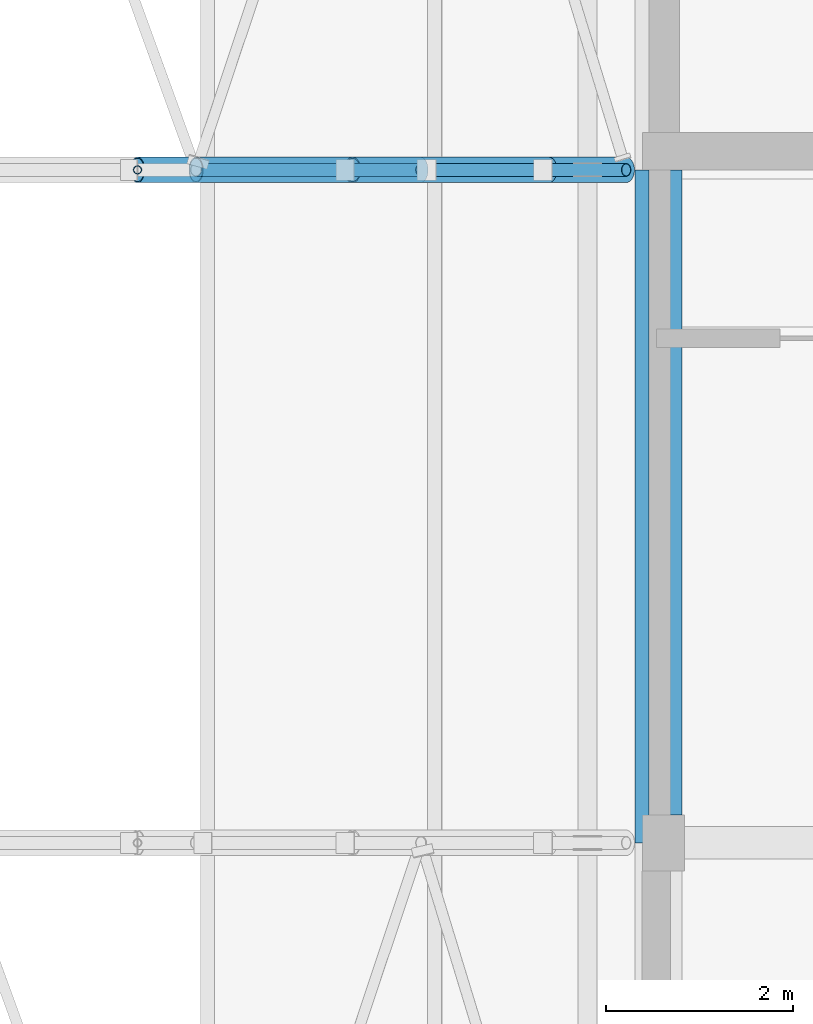
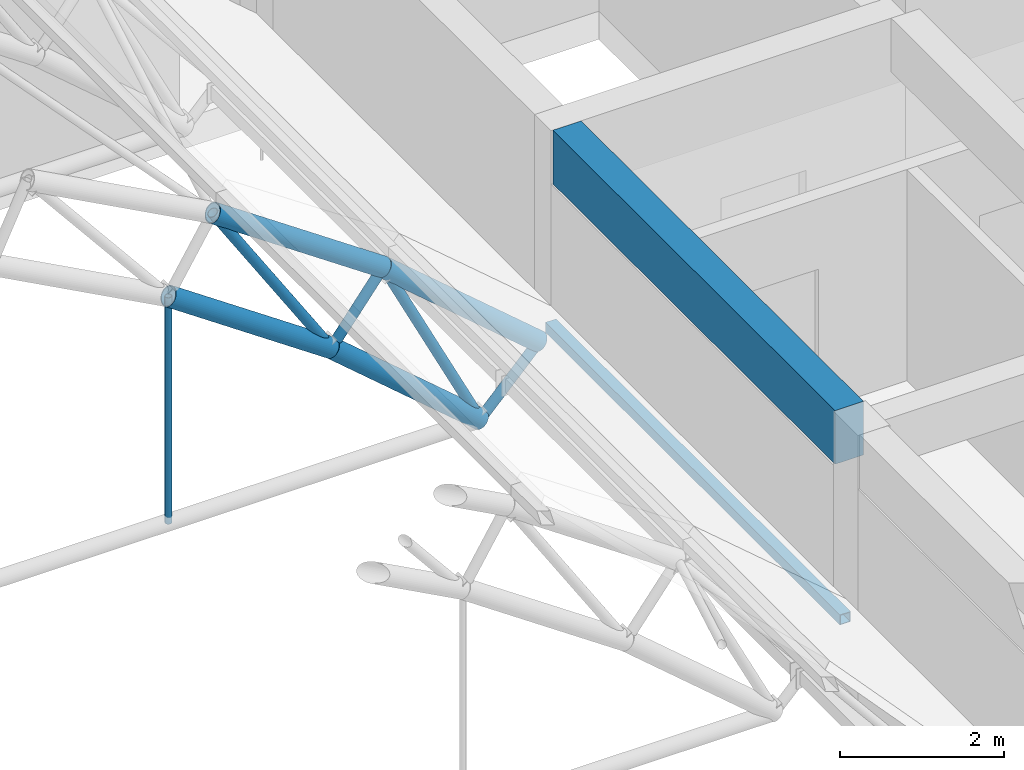
# One storey, part 21 of 101: 10 members, 1 beam.
"""IFC4 building model written with IfcOpenShell, lengths in metres."""

from ifc_helpers import new_model, si_unit, direction, frame, origin, origin_2d, place, context, subcontext, project, spatial, rectangle, hollow_rectangle, hollow_circle, extrude, material, material_profile, profile_set, type_object, element, save


model = new_model("IFC4")

# Units and contexts
model_context = context("Model", 3, precision=1e-05, world=origin(), true_north=direction((0.0, 1.0)))
body_context = subcontext(model_context, "Body", "Model", "MODEL_VIEW")
ifc_project = project(units=[si_unit("LENGTHUNIT", "METRE"), si_unit("AREAUNIT", "SQUARE_METRE"), si_unit("VOLUMEUNIT", "CUBIC_METRE"), si_unit("PLANEANGLEUNIT", "RADIAN"), si_unit("MASSUNIT", "GRAM", prefix="KILO")], contexts=[model_context])

# Site, building, storey
site_placement = place(None, origin())
site = spatial("IfcSite", under=ifc_project, at=site_placement, CompositionType="ELEMENT")
building_placement = place(site_placement, origin())
building = spatial("IfcBuilding", under=site, at=building_placement, Name="Laocheng Heights Fire and Rescue Headquarters", CompositionType="ELEMENT")
storey_placement = place(building_placement, frame((0.0, 0.0, 8.39990234375)))
storey = spatial("IfcBuildingStorey", under=building, at=storey_placement, Name="L02", CompositionType="ELEMENT", Elevation=8.39990234375)

# Members
ifc_material_1 = material(Name="Steel Q355B", Category="steel")
ifc_material_profile_1 = material_profile(ifc_material_1, hollow_circle(Radius=0.136474609375, WallThickness=0.011962890625, at=origin_2d()), Name="CHS 273x12")
ifc_profile_set_1 = profile_set([ifc_material_profile_1], Name="Steel Q355B")
member_type_1 = type_object("IfcMemberType", Name="BAY ROOF CHORD CHS 273x12", PredefinedType="CHORD", material=ifc_profile_set_1)
member_1_placement = place(storey_placement, frame((50.22509765625, 14.39990234375, 4.401123046875), z_axis=(0.824366402467, 0.0, -0.566056564738), x_axis=(0.0, 1.0, 0.0)))
element("IfcMember", 1, at=member_1_placement, inside=storey, type_object=member_type_1, Name="Truss TR3 upper chord 15", PredefinedType="CHORD", context=body_context, shape_type="SweptSolid", body=[
    extrude(hollow_circle(Radius=0.136474609375, WallThickness=0.011962890625, at=origin_2d()), origin(), (0.0, 0.0, 1.0), 2.918701171875),
])
member_2_placement = place(storey_placement, frame((52.631103515625, 14.39990234375, 2.7490234375), z_axis=(0.759780870103, 0.0, -0.650179228694), x_axis=(0.0, 1.0, 0.0)))
element("IfcMember", 2, at=member_2_placement, inside=storey, type_object=member_type_1, Name="Truss TR3 upper chord 16", PredefinedType="CHORD", context=body_context, shape_type="SweptSolid", body=[
    extrude(hollow_circle(Radius=0.136474609375, WallThickness=0.011962890625, at=origin_2d()), origin(), (0.0, 0.0, 1.0), 2.891357421875),
])
member_3_placement = place(storey_placement, frame((49.60009765625, 14.39990234375, 3.377197265625), z_axis=(0.824378833686, 0.0, -0.566038460327), x_axis=(0.0, 1.0, 0.0)))
element("IfcMember", 3, at=member_3_placement, inside=storey, type_object=member_type_1, Name="Truss TR3 lower chord 15", PredefinedType="CHORD", context=body_context, shape_type="SweptSolid", body=[
    extrude(hollow_circle(Radius=0.136474609375, WallThickness=0.011962890625, at=origin_2d()), origin(), (0.0, 0.0, 1.0), 2.789794921875),
])
member_4_placement = place(storey_placement, frame((51.89990234375, 14.39990234375, 1.798095703125), z_axis=(0.759611792673, 0.0, -0.650376755759), x_axis=(0.0, 1.0, 0.0)))
element("IfcMember", 4, at=member_4_placement, inside=storey, type_object=member_type_1, Name="Truss TR3 lower chord 16", PredefinedType="CHORD", context=body_context, shape_type="SweptSolid", body=[
    extrude(hollow_circle(Radius=0.136474609375, WallThickness=0.011962890625, at=origin_2d()), origin(), (0.0, 0.0, 1.0), 2.7646484375),
])
ifc_material_2 = material(Name="Steel Q355B", Category="steel")
ifc_material_profile_2 = material_profile(ifc_material_2, hollow_circle(Radius=0.06982421875, WallThickness=0.006103515625, at=origin_2d()), Name="CHS 139.7x6")
ifc_profile_set_2 = profile_set([ifc_material_profile_2], Name="Steel Q355B")
member_type_2 = type_object("IfcMemberType", Name="BAY ROOF DIAG CHS 139.7x6", PredefinedType="BRACE", material=ifc_profile_set_2)
member_5_placement = place(storey_placement, frame((51.89990234375, 14.39990234375, 1.798095703125), z_axis=(-0.541084441546, 0.0, 0.840968267604), x_axis=(0.0, -1.0, 0.0)))
element("IfcMember", 5, at=member_5_placement, inside=storey, type_object=member_type_2, Name="Truss diagonal TR3-15", PredefinedType="BRACE", context=body_context, shape_type="SweptSolid", body=[
    extrude(hollow_circle(Radius=0.06982421875, WallThickness=0.006103515625, at=origin_2d()), origin(), (0.0, 0.0, 1.0), 3.09521484375),
])
member_6_placement = place(storey_placement, frame((54.0, 14.39990234375, 0.0), z_axis=(-0.445750218044, 0.0, 0.89515738455), x_axis=(0.0, -1.0, 0.0)))
element("IfcMember", 6, at=member_6_placement, inside=storey, type_object=member_type_2, Name="Truss diagonal TR3-16", PredefinedType="BRACE", context=body_context, shape_type="SweptSolid", body=[
    extrude(hollow_circle(Radius=0.06982421875, WallThickness=0.006103515625, at=origin_2d()), origin(), (0.0, 0.0, 1.0), 3.071044921875),
])
ifc_material_3 = material(Name="Steel Q355B", Category="steel")
ifc_material_profile_3 = material_profile(ifc_material_3, hollow_circle(Radius=0.04443359375, WallThickness=0.0048828125, at=origin_2d()), Name="CHS 88.9x5")
ifc_profile_set_3 = profile_set([ifc_material_profile_3], Name="Steel Q355B")
member_type_3 = type_object("IfcMemberType", Name="BAY ROOF HANGER CHS 88.9x5", PredefinedType="POST", material=ifc_profile_set_3)
member_7_placement = place(storey_placement, frame((49.60009765625, 14.39990234375, 0.0), z_axis=(0.0, 0.0, 1.0), x_axis=(1.0, 0.0, 0.0)))
element("IfcMember", 7, at=member_7_placement, inside=storey, type_object=member_type_3, Name="Truss TR3 hanger 14", PredefinedType="POST", context=body_context, shape_type="SweptSolid", body=[
    extrude(hollow_circle(Radius=0.04443359375, WallThickness=0.0048828125, at=origin_2d()), origin(), (0.0, 0.0, 1.0), 3.377197265625),
])
ifc_material_4 = material(Name="Steel Q355B", Category="steel")
ifc_material_profile_4 = material_profile(ifc_material_4, hollow_circle(Radius=0.06982421875, WallThickness=0.006103515625, at=origin_2d()), Name="CHS 139.7x6")
ifc_profile_set_4 = profile_set([ifc_material_profile_4], Name="Steel Q355B")
member_type_4 = type_object("IfcMemberType", Name="BAY ROOF POST CHS 139.7x6", PredefinedType="POST", material=ifc_profile_set_4)
member_8_placement = place(storey_placement, frame((51.89990234375, 14.39990234375, 1.798095703125), z_axis=(0.609563212164, 0.0, 0.792737466237), x_axis=(0.0, 1.0, 0.0)))
element("IfcMember", 8, at=member_8_placement, inside=storey, type_object=member_type_4, Name="Truss TR3 radial post 15", PredefinedType="POST", context=body_context, shape_type="SweptSolid", body=[
    extrude(hollow_circle(Radius=0.06982421875, WallThickness=0.006103515625, at=origin_2d()), origin(), (0.0, 0.0, 1.0), 1.199462890625),
])
member_9_placement = place(storey_placement, frame((54.0, 14.39990234375, 0.0), z_axis=(0.689711037364, 0.0, 0.72408472221), x_axis=(0.0, 1.0, 0.0)))
element("IfcMember", 9, at=member_9_placement, inside=storey, type_object=member_type_4, Name="Truss TR3 radial post 16", PredefinedType="POST", context=body_context, shape_type="SweptSolid", body=[
    extrude(hollow_circle(Radius=0.06982421875, WallThickness=0.006103515625, at=origin_2d()), origin(), (0.0, 0.0, 1.0), 1.200439453125),
])
ifc_material_5 = material(Name="Steel Q355B", Category="steel")
ifc_material_profile_5 = material_profile(ifc_material_5, hollow_rectangle(XDim=0.14990234375, YDim=0.14990234375, WallThickness=0.008056640625, at=origin_2d()), Name="SHS 150x150x8")
ifc_profile_set_5 = profile_set([ifc_material_profile_5], Name="Steel Q355B")
member_type_5 = type_object("IfcMemberType", Name="BAY ROOF PURLIN SHS 150x150x8", PredefinedType="PURLIN", material=ifc_profile_set_5)
member_10_placement = place(storey_placement, frame((54.99560546875, 7.199951171875, 1.045166015625), z_axis=(0.0, 1.0, 0.0), x_axis=(-1.0, 0.0, 0.0)))
element("IfcMember", 10, at=member_10_placement, inside=storey, type_object=member_type_5, Name="Purlin 17.2", PredefinedType="PURLIN", context=body_context, shape_type="SweptSolid", body=[
    extrude(hollow_rectangle(XDim=0.14990234375, YDim=0.14990234375, WallThickness=0.008056640625, at=origin_2d()), origin(), (0.0, 0.0, 1.0), 7.199951171875),
])

# Beam
ifc_material_6 = material(Name="Concrete C40", Category="concrete")
ifc_material_profile_6 = material_profile(ifc_material_6, rectangle(XDim=0.39990234375, YDim=0.800048828125, at=origin_2d()), Name="RC BEAM 400x800 PAVILION ROOF")
ifc_profile_set_6 = profile_set([ifc_material_profile_6], Name="Concrete C40")
beam_type = type_object("IfcBeamType", Name="RC BEAM 400x800 PAVILION ROOF", PredefinedType="BEAM", material=ifc_profile_set_6)
beam_placement = place(storey_placement, frame((55.22509765625, 7.5, 3.550048828125), z_axis=(0.0, 1.0, 0.0), x_axis=(-1.0, 0.0, 0.0)))
element("IfcBeam", 11, at=beam_placement, inside=storey, type_object=beam_type, Name="Pavilion beam", PredefinedType="BEAM", context=body_context, shape_type="SweptSolid", body=[
    extrude(rectangle(XDim=0.39990234375, YDim=0.800048828125, at=origin_2d()), origin(), (0.0, 0.0, 1.0), 6.89990234375),
])

save(model, "model.ifc")
